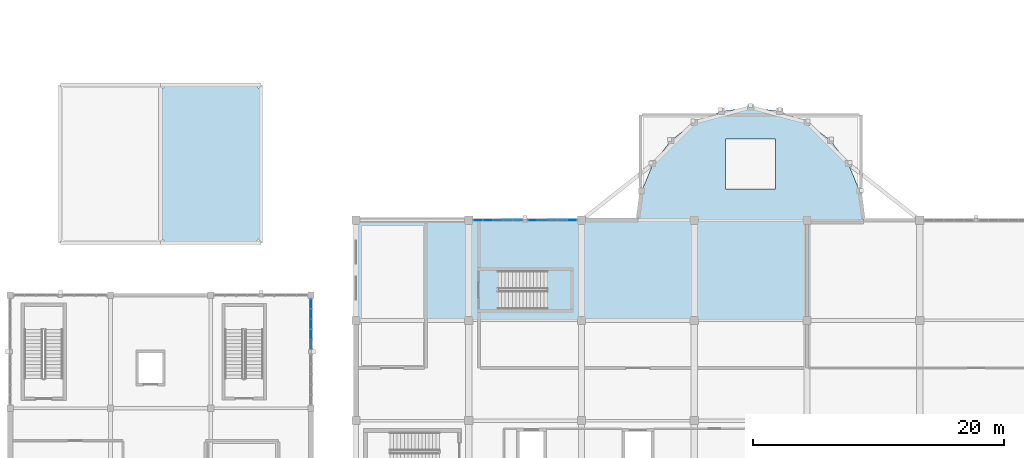
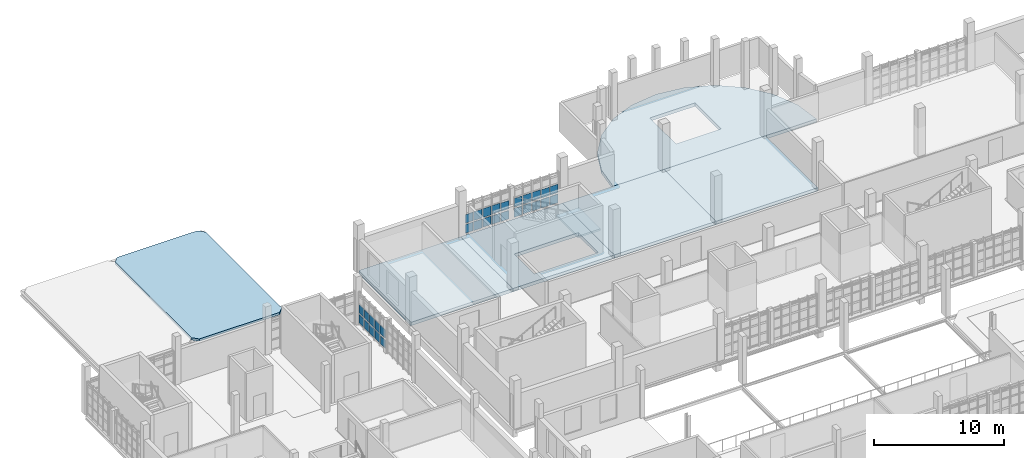
# One storey, part 82 of 125: 30 plates, 7 slabs, 4 elements without a shape of their own.
"""IFC4 building model written with IfcOpenShell, lengths in metres."""

from ifc_helpers import new_model, si_unit, direction, frame, origin, origin_2d, place, context, subcontext, project, spatial, polyline, rectangle, outline, extrude, material, layer, layer_set, type_object, element, aggregate, save


model = new_model("IFC4")

# Units and contexts
model_context = context("Model", 3, precision=1e-05, world=origin(), true_north=direction((0.0, 1.0)))
body_context = subcontext(model_context, "Body", "Model", "MODEL_VIEW")
ifc_project = project(units=[si_unit("LENGTHUNIT", "METRE"), si_unit("AREAUNIT", "SQUARE_METRE"), si_unit("VOLUMEUNIT", "CUBIC_METRE"), si_unit("PLANEANGLEUNIT", "RADIAN"), si_unit("MASSUNIT", "GRAM", prefix="KILO")], contexts=[model_context])

# Site, building, storey
site_placement = place(None, origin())
site = spatial("IfcSite", under=ifc_project, at=site_placement, CompositionType="ELEMENT")
building_placement = place(site_placement, origin())
building = spatial("IfcBuilding", under=site, at=building_placement, Name="Serraforn Aerial Cableway Station", CompositionType="ELEMENT")
storey_placement = place(building_placement, frame((0.0, 0.0, 4.5)))
storey = spatial("IfcBuildingStorey", under=building, at=storey_placement, Name="L01", CompositionType="ELEMENT", Elevation=4.5)

# Curtain wall, plates
ifc_material_1 = material(Name="Anodised bronze unitised curtain wall")
curtain_wall_type_1 = type_object("IfcCurtainWallType", Name="CW-SYS-22", PredefinedType="USERDEFINED", material=ifc_material_1)
curtain_wall_1_placement = place(storey_placement, origin())
curtain_wall_1 = element("IfcCurtainWall", 1, at=curtain_wall_1_placement, inside=storey, type_object=curtain_wall_type_1, Name="Unitised Curtain Wall CW-W-L01-E4B", ObjectType="UNITISED CURTAIN WALL", PredefinedType="USERDEFINED")
ifc_material_2 = material(Name="Solar-control low-E double glazing", Category="glass")
ifc_layer_1 = layer(ifc_material_2, 0.02587890625)
ifc_layer_set_1 = layer_set([ifc_layer_1], Name="Solar-control low-E double glazing")
plate_type_1 = type_object("IfcPlateType", Name="CW-GLZ-1", PredefinedType="CURTAIN_PANEL", material=ifc_layer_set_1)
plate_1_placement = place(storey_placement, frame((24.0, 32.900390625, 1.11376953125), z_axis=(0.0, 0.0, 1.0), x_axis=(1.0, 0.0, 0.0)))
plate_1 = element("IfcPlate", 2, at=plate_1_placement, type_object=plate_type_1, Name="Curtain Wall Panel CW-W-L01-E4B-P2-2", PredefinedType="CURTAIN_PANEL", context=body_context, shape_type="SweptSolid", body=[
    extrude(rectangle(XDim=0.02587890625, YDim=0.745849609375, at=origin_2d()), origin(), (0.0, 0.0, 1.0), 0.824951171875),
])
plate_2_placement = place(storey_placement, frame((24.0, 33.720947265625, 0.177734375), z_axis=(0.0, 0.0, 1.0), x_axis=(1.0, 0.0, 0.0)))
plate_2 = element("IfcPlate", 3, at=plate_2_placement, type_object=plate_type_1, Name="Curtain Wall Panel CW-W-L01-E4B-P3-1", PredefinedType="CURTAIN_PANEL", context=body_context, shape_type="SweptSolid", body=[
    extrude(rectangle(XDim=0.02587890625, YDim=0.75341796875, at=origin_2d()), origin(), (0.0, 0.0, 1.0), 0.824951171875),
])

# Curtain wall, plate
curtain_wall_type_2 = type_object("IfcCurtainWallType", Name="CW-SYS-19", PredefinedType="USERDEFINED", material=ifc_material_1)
curtain_wall_2_placement = place(storey_placement, origin())
curtain_wall_2 = element("IfcCurtainWall", 4, at=curtain_wall_2_placement, inside=storey, type_object=curtain_wall_type_2, Name="Unitised Curtain Wall CW-CV-L01-N2A", ObjectType="UNITISED CURTAIN WALL", PredefinedType="USERDEFINED")
plate_3_placement = place(storey_placement, frame((41.6884765625, 42.0, 1.118896484375), z_axis=(0.0, 0.0, 1.0), x_axis=(1.0, 0.0, 0.0)))
plate_3 = element("IfcPlate", 5, at=plate_3_placement, type_object=plate_type_1, Name="Curtain Wall Panel CW-CV-L01-N2A-P5-2", PredefinedType="CURTAIN_PANEL", context=body_context, shape_type="SweptSolid", body=[
    extrude(rectangle(XDim=0.7109375, YDim=0.02587890625, at=origin_2d()), origin(), (0.0, 0.0, 1.0), 0.8125),
])

# Curtain wall, plates
curtain_wall_type_3 = type_object("IfcCurtainWallType", Name="CW-SYS-20", PredefinedType="USERDEFINED", material=ifc_material_1)
curtain_wall_3_placement = place(storey_placement, origin())
curtain_wall_3 = element("IfcCurtainWall", 6, at=curtain_wall_3_placement, inside=storey, type_object=curtain_wall_type_3, Name="Unitised Curtain Wall CW-CV-L01-N2B", ObjectType="UNITISED CURTAIN WALL", PredefinedType="USERDEFINED")
plate_4_placement = place(storey_placement, frame((38.1171875, 42.0, 1.118896484375), z_axis=(0.0, 0.0, 1.0), x_axis=(1.0, 0.0, 0.0)))
plate_4 = element("IfcPlate", 7, at=plate_4_placement, type_object=plate_type_1, Name="Curtain Wall Panel CW-CV-L01-N2B-P4-2", PredefinedType="CURTAIN_PANEL", context=body_context, shape_type="SweptSolid", body=[
    extrude(rectangle(XDim=0.73828125, YDim=0.02587890625, at=origin_2d()), origin(), (0.0, 0.0, 1.0), 0.8125),
])
plate_5_placement = place(storey_placement, frame((37.339111328125, 42.0, 0.182861328125), z_axis=(0.0, 0.0, 1.0), x_axis=(1.0, 0.0, 0.0)))
plate_5 = element("IfcPlate", 8, at=plate_5_placement, type_object=plate_type_1, Name="Curtain Wall Panel CW-CV-L01-N2B-P5-1", PredefinedType="CURTAIN_PANEL", context=body_context, shape_type="SweptSolid", body=[
    extrude(rectangle(XDim=0.7158203125, YDim=0.02587890625, at=origin_2d()), origin(), (0.0, 0.0, 1.0), 0.8125),
])

# Plate
ifc_layer_2 = layer(ifc_material_2, 0.028076171875)
ifc_layer_set_2 = layer_set([ifc_layer_2], Name="Solar-control low-E double glazing")
plate_type_2 = type_object("IfcPlateType", Name="CW-GLZ-2", PredefinedType="CURTAIN_PANEL", material=ifc_layer_set_2)
plate_6_placement = place(storey_placement, frame((24.0, 33.720947265625, 1.118896484375), z_axis=(0.0, 0.0, 1.0), x_axis=(1.0, 0.0, 0.0)))
plate_6 = element("IfcPlate", 9, at=plate_6_placement, type_object=plate_type_2, Name="Curtain Wall Panel CW-W-L01-E4B-P3-2", PredefinedType="CURTAIN_PANEL", context=body_context, shape_type="SweptSolid", body=[
    extrude(rectangle(XDim=0.028076171875, YDim=0.75341796875, at=origin_2d()), origin(), (0.0, 0.0, 1.0), 0.8125),
])

plate_7_placement = place(storey_placement, frame((24.0, 34.529296875, 0.182861328125), z_axis=(0.0, 0.0, 1.0), x_axis=(1.0, 0.0, 0.0)))
plate_7 = element("IfcPlate", 10, at=plate_7_placement, type_object=plate_type_2, Name="Curtain Wall Panel CW-W-L01-E4B-P4-1", PredefinedType="CURTAIN_PANEL", context=body_context, shape_type="SweptSolid", body=[
    extrude(rectangle(XDim=0.028076171875, YDim=0.760986328125, at=origin_2d()), origin(), (0.0, 0.0, 1.0), 0.8125),
])

plate_8_placement = place(storey_placement, frame((37.339111328125, 42.0, 1.12646484375), z_axis=(0.0, 0.0, 1.0), x_axis=(1.0, 0.0, 0.0)))
plate_8 = element("IfcPlate", 11, at=plate_8_placement, type_object=plate_type_2, Name="Curtain Wall Panel CW-CV-L01-N2B-P5-2", PredefinedType="CURTAIN_PANEL", context=body_context, shape_type="SweptSolid", body=[
    extrude(rectangle(XDim=0.7158203125, YDim=0.028076171875, at=origin_2d()), origin(), (0.0, 0.0, 1.0), 0.797607421875),
])

ifc_layer_3 = layer(ifc_material_2, 0.030029296875)
ifc_layer_set_3 = layer_set([ifc_layer_3], Name="Solar-control low-E double glazing")
plate_type_3 = type_object("IfcPlateType", Name="CW-GLZ-3", PredefinedType="CURTAIN_PANEL", material=ifc_layer_set_3)
plate_9_placement = place(storey_placement, frame((24.0, 34.529296875, 1.12646484375), z_axis=(0.0, 0.0, 1.0), x_axis=(1.0, 0.0, 0.0)))
plate_9 = element("IfcPlate", 12, at=plate_9_placement, type_object=plate_type_3, Name="Curtain Wall Panel CW-W-L01-E4B-P4-2", PredefinedType="CURTAIN_PANEL", context=body_context, shape_type="SweptSolid", body=[
    extrude(rectangle(XDim=0.030029296875, YDim=0.760986328125, at=origin_2d()), origin(), (0.0, 0.0, 1.0), 0.797607421875),
])

plate_10_placement = place(storey_placement, frame((24.0, 35.327392578125, 0.1904296875), z_axis=(0.0, 0.0, 1.0), x_axis=(1.0, 0.0, 0.0)))
plate_10 = element("IfcPlate", 13, at=plate_10_placement, type_object=plate_type_3, Name="Curtain Wall Panel CW-W-L01-E4B-P5-1", PredefinedType="CURTAIN_PANEL", context=body_context, shape_type="SweptSolid", body=[
    extrude(rectangle(XDim=0.030029296875, YDim=0.723388671875, at=origin_2d()), origin(), (0.0, 0.0, 1.0), 0.797607421875),
])

ifc_layer_4 = layer(ifc_material_2, 0.031982421875)
ifc_layer_set_4 = layer_set([ifc_layer_4], Name="Solar-control low-E double glazing")
plate_type_4 = type_object("IfcPlateType", Name="CW-GLZ-4", PredefinedType="CURTAIN_PANEL", material=ifc_layer_set_4)
plate_11_placement = place(storey_placement, frame((24.0, 35.327392578125, 1.1337890625), z_axis=(0.0, 0.0, 1.0), x_axis=(1.0, 0.0, 0.0)))
plate_11 = element("IfcPlate", 14, at=plate_11_placement, type_object=plate_type_4, Name="Curtain Wall Panel CW-W-L01-E4B-P5-2", PredefinedType="CURTAIN_PANEL", context=body_context, shape_type="SweptSolid", body=[
    extrude(rectangle(XDim=0.031982421875, YDim=0.723388671875, at=origin_2d()), origin(), (0.0, 0.0, 1.0), 0.782470703125),
])

plate_12_placement = place(storey_placement, frame((44.86474609375, 42.0, 0.182861328125), z_axis=(0.0, 0.0, 1.0), x_axis=(1.0, 0.0, 0.0)))
plate_12 = element("IfcPlate", 15, at=plate_12_placement, type_object=plate_type_4, Name="Curtain Wall Panel CW-CV-L01-N2A-P1-1", PredefinedType="CURTAIN_PANEL", context=body_context, shape_type="SweptSolid", body=[
    extrude(rectangle(XDim=0.718505859375, YDim=0.031982421875, at=origin_2d()), origin(), (0.0, 0.0, 1.0), 0.8125),
])

ifc_layer_5 = layer(ifc_material_2, 0.033935546875)
ifc_layer_set_5 = layer_set([ifc_layer_5], Name="Solar-control low-E double glazing")
plate_type_5 = type_object("IfcPlateType", Name="CW-GLZ-5", PredefinedType="CURTAIN_PANEL", material=ifc_layer_set_5)
plate_13_placement = place(storey_placement, frame((44.86474609375, 42.0, 1.12646484375), z_axis=(0.0, 0.0, 1.0), x_axis=(1.0, 0.0, 0.0)))
plate_13 = element("IfcPlate", 16, at=plate_13_placement, type_object=plate_type_5, Name="Curtain Wall Panel CW-CV-L01-N2A-P1-2", PredefinedType="CURTAIN_PANEL", context=body_context, shape_type="SweptSolid", body=[
    extrude(rectangle(XDim=0.718505859375, YDim=0.033935546875, at=origin_2d()), origin(), (0.0, 0.0, 1.0), 0.797607421875),
])

plate_14_placement = place(storey_placement, frame((44.0791015625, 42.0, 0.1904296875), z_axis=(0.0, 0.0, 1.0), x_axis=(1.0, 0.0, 0.0)))
plate_14 = element("IfcPlate", 17, at=plate_14_placement, type_object=plate_type_5, Name="Curtain Wall Panel CW-CV-L01-N2A-P2-1", PredefinedType="CURTAIN_PANEL", context=body_context, shape_type="SweptSolid", body=[
    extrude(rectangle(XDim=0.740966796875, YDim=0.033935546875, at=origin_2d()), origin(), (0.0, 0.0, 1.0), 0.797607421875),
])

plate_15_placement = place(storey_placement, frame((40.506591796875, 42.0, 0.1904296875), z_axis=(0.0, 0.0, 1.0), x_axis=(1.0, 0.0, 0.0)))
plate_15 = element("IfcPlate", 18, at=plate_15_placement, type_object=plate_type_5, Name="Curtain Wall Panel CW-CV-L01-N2B-P1-1", PredefinedType="CURTAIN_PANEL", context=body_context, shape_type="SweptSolid", body=[
    extrude(rectangle(XDim=0.7109375, YDim=0.033935546875, at=origin_2d()), origin(), (0.0, 0.0, 1.0), 0.797607421875),
])

ifc_layer_6 = layer(ifc_material_2, 0.035888671875)
ifc_layer_set_6 = layer_set([ifc_layer_6], Name="Solar-control low-E double glazing")
plate_type_6 = type_object("IfcPlateType", Name="CW-GLZ-6", PredefinedType="CURTAIN_PANEL", material=ifc_layer_set_6)
plate_16_placement = place(storey_placement, frame((44.0791015625, 42.0, 1.1337890625), z_axis=(0.0, 0.0, 1.0), x_axis=(1.0, 0.0, 0.0)))
plate_16 = element("IfcPlate", 19, at=plate_16_placement, type_object=plate_type_6, Name="Curtain Wall Panel CW-CV-L01-N2A-P2-2", PredefinedType="CURTAIN_PANEL", context=body_context, shape_type="SweptSolid", body=[
    extrude(rectangle(XDim=0.740966796875, YDim=0.035888671875, at=origin_2d()), origin(), (0.0, 0.0, 1.0), 0.782470703125),
])

plate_17_placement = place(storey_placement, frame((43.27978515625, 42.0, 0.19775390625), z_axis=(0.0, 0.0, 1.0), x_axis=(1.0, 0.0, 0.0)))
plate_17 = element("IfcPlate", 20, at=plate_17_placement, type_object=plate_type_6, Name="Curtain Wall Panel CW-CV-L01-N2A-P3-1", PredefinedType="CURTAIN_PANEL", context=body_context, shape_type="SweptSolid", body=[
    extrude(rectangle(XDim=0.73583984375, YDim=0.035888671875, at=origin_2d()), origin(), (0.0, 0.0, 1.0), 0.782470703125),
])

plate_18_placement = place(storey_placement, frame((40.506591796875, 42.0, 1.1337890625), z_axis=(0.0, 0.0, 1.0), x_axis=(1.0, 0.0, 0.0)))
plate_18 = element("IfcPlate", 21, at=plate_18_placement, type_object=plate_type_6, Name="Curtain Wall Panel CW-CV-L01-N2B-P1-2", PredefinedType="CURTAIN_PANEL", context=body_context, shape_type="SweptSolid", body=[
    extrude(rectangle(XDim=0.7109375, YDim=0.035888671875, at=origin_2d()), origin(), (0.0, 0.0, 1.0), 0.782470703125),
])

plate_19_placement = place(storey_placement, frame((39.72216796875, 42.0, 0.19775390625), z_axis=(0.0, 0.0, 1.0), x_axis=(1.0, 0.0, 0.0)))
plate_19 = element("IfcPlate", 22, at=plate_19_placement, type_object=plate_type_6, Name="Curtain Wall Panel CW-CV-L01-N2B-P2-1", PredefinedType="CURTAIN_PANEL", context=body_context, shape_type="SweptSolid", body=[
    extrude(rectangle(XDim=0.73583984375, YDim=0.035888671875, at=origin_2d()), origin(), (0.0, 0.0, 1.0), 0.782470703125),
])

ifc_layer_7 = layer(ifc_material_2, 0.029052734375)
ifc_layer_set_7 = layer_set([ifc_layer_7], Name="Solar-control low-E double glazing")
plate_type_7 = type_object("IfcPlateType", Name="CW-GLZ-7", PredefinedType="CURTAIN_PANEL", material=ifc_layer_set_7)
plate_20_placement = place(storey_placement, frame((24.0, 32.102294921875, 0.19775390625), z_axis=(0.0, 0.0, 1.0), x_axis=(1.0, 0.0, 0.0)))
plate_20 = element("IfcPlate", 23, at=plate_20_placement, type_object=plate_type_7, Name="Curtain Wall Panel CW-W-L01-E4B-P1-1", PredefinedType="CURTAIN_PANEL", context=body_context, shape_type="SweptSolid", body=[
    extrude(rectangle(XDim=0.029052734375, YDim=0.718505859375, at=origin_2d()), origin(), (0.0, 0.0, 1.0), 0.782470703125),
])

plate_21_placement = place(storey_placement, frame((43.27978515625, 42.0, 1.14111328125), z_axis=(0.0, 0.0, 1.0), x_axis=(1.0, 0.0, 0.0)))
plate_21 = element("IfcPlate", 24, at=plate_21_placement, type_object=plate_type_7, Name="Curtain Wall Panel CW-CV-L01-N2A-P3-2", PredefinedType="CURTAIN_PANEL", context=body_context, shape_type="SweptSolid", body=[
    extrude(rectangle(XDim=0.73583984375, YDim=0.029052734375, at=origin_2d()), origin(), (0.0, 0.0, 1.0), 0.802490234375),
])

plate_22_placement = place(storey_placement, frame((42.48046875, 42.0, 0.20556640625), z_axis=(0.0, 0.0, 1.0), x_axis=(1.0, 0.0, 0.0)))
plate_22 = element("IfcPlate", 25, at=plate_22_placement, type_object=plate_type_7, Name="Curtain Wall Panel CW-CV-L01-N2A-P4-1", PredefinedType="CURTAIN_PANEL", context=body_context, shape_type="SweptSolid", body=[
    extrude(rectangle(XDim=0.73095703125, YDim=0.029052734375, at=origin_2d()), origin(), (0.0, 0.0, 1.0), 0.802490234375),
])

plate_23_placement = place(storey_placement, frame((39.72216796875, 42.0, 1.14111328125), z_axis=(0.0, 0.0, 1.0), x_axis=(1.0, 0.0, 0.0)))
plate_23 = element("IfcPlate", 26, at=plate_23_placement, type_object=plate_type_7, Name="Curtain Wall Panel CW-CV-L01-N2B-P2-2", PredefinedType="CURTAIN_PANEL", context=body_context, shape_type="SweptSolid", body=[
    extrude(rectangle(XDim=0.73583984375, YDim=0.029052734375, at=origin_2d()), origin(), (0.0, 0.0, 1.0), 0.802490234375),
])

plate_24_placement = place(storey_placement, frame((38.9228515625, 42.0, 0.20556640625), z_axis=(0.0, 0.0, 1.0), x_axis=(1.0, 0.0, 0.0)))
plate_24 = element("IfcPlate", 27, at=plate_24_placement, type_object=plate_type_7, Name="Curtain Wall Panel CW-CV-L01-N2B-P3-1", PredefinedType="CURTAIN_PANEL", context=body_context, shape_type="SweptSolid", body=[
    extrude(rectangle(XDim=0.73095703125, YDim=0.029052734375, at=origin_2d()), origin(), (0.0, 0.0, 1.0), 0.802490234375),
])

ifc_layer_8 = layer(ifc_material_2, 0.031005859375)
ifc_layer_set_8 = layer_set([ifc_layer_8], Name="Solar-control low-E double glazing")
plate_type_8 = type_object("IfcPlateType", Name="CW-GLZ-8", PredefinedType="CURTAIN_PANEL", material=ifc_layer_set_8)
plate_25_placement = place(storey_placement, frame((24.0, 32.102294921875, 1.14111328125), z_axis=(0.0, 0.0, 1.0), x_axis=(1.0, 0.0, 0.0)))
plate_25 = element("IfcPlate", 28, at=plate_25_placement, type_object=plate_type_8, Name="Curtain Wall Panel CW-W-L01-E4B-P1-2", PredefinedType="CURTAIN_PANEL", context=body_context, shape_type="SweptSolid", body=[
    extrude(rectangle(XDim=0.031005859375, YDim=0.718505859375, at=origin_2d()), origin(), (0.0, 0.0, 1.0), 0.802490234375),
])

plate_26_placement = place(storey_placement, frame((24.0, 32.900390625, 0.20556640625), z_axis=(0.0, 0.0, 1.0), x_axis=(1.0, 0.0, 0.0)))
plate_26 = element("IfcPlate", 29, at=plate_26_placement, type_object=plate_type_8, Name="Curtain Wall Panel CW-W-L01-E4B-P2-1", PredefinedType="CURTAIN_PANEL", context=body_context, shape_type="SweptSolid", body=[
    extrude(rectangle(XDim=0.031005859375, YDim=0.745849609375, at=origin_2d()), origin(), (0.0, 0.0, 1.0), 0.802490234375),
])

aggregate(curtain_wall_1, [plate_20, plate_25, plate_26, plate_1, plate_2, plate_6, plate_7, plate_9, plate_10, plate_11])

plate_27_placement = place(storey_placement, frame((42.48046875, 42.0, 1.11376953125), z_axis=(0.0, 0.0, 1.0), x_axis=(1.0, 0.0, 0.0)))
plate_27 = element("IfcPlate", 30, at=plate_27_placement, type_object=plate_type_8, Name="Curtain Wall Panel CW-CV-L01-N2A-P4-2", PredefinedType="CURTAIN_PANEL", context=body_context, shape_type="SweptSolid", body=[
    extrude(rectangle(XDim=0.73095703125, YDim=0.031005859375, at=origin_2d()), origin(), (0.0, 0.0, 1.0), 0.824951171875),
])

plate_28_placement = place(storey_placement, frame((41.6884765625, 42.0, 0.177734375), z_axis=(0.0, 0.0, 1.0), x_axis=(1.0, 0.0, 0.0)))
plate_28 = element("IfcPlate", 31, at=plate_28_placement, type_object=plate_type_8, Name="Curtain Wall Panel CW-CV-L01-N2A-P5-1", PredefinedType="CURTAIN_PANEL", context=body_context, shape_type="SweptSolid", body=[
    extrude(rectangle(XDim=0.7109375, YDim=0.031005859375, at=origin_2d()), origin(), (0.0, 0.0, 1.0), 0.824951171875),
])

aggregate(curtain_wall_2, [plate_12, plate_13, plate_14, plate_16, plate_17, plate_21, plate_22, plate_27, plate_28, plate_3])

plate_29_placement = place(storey_placement, frame((38.9228515625, 42.0, 1.11376953125), z_axis=(0.0, 0.0, 1.0), x_axis=(1.0, 0.0, 0.0)))
plate_29 = element("IfcPlate", 32, at=plate_29_placement, type_object=plate_type_8, Name="Curtain Wall Panel CW-CV-L01-N2B-P3-2", PredefinedType="CURTAIN_PANEL", context=body_context, shape_type="SweptSolid", body=[
    extrude(rectangle(XDim=0.73095703125, YDim=0.031005859375, at=origin_2d()), origin(), (0.0, 0.0, 1.0), 0.824951171875),
])

plate_30_placement = place(storey_placement, frame((38.1171875, 42.0, 0.177734375), z_axis=(0.0, 0.0, 1.0), x_axis=(1.0, 0.0, 0.0)))
plate_30 = element("IfcPlate", 33, at=plate_30_placement, type_object=plate_type_8, Name="Curtain Wall Panel CW-CV-L01-N2B-P4-1", PredefinedType="CURTAIN_PANEL", context=body_context, shape_type="SweptSolid", body=[
    extrude(rectangle(XDim=0.73828125, YDim=0.031005859375, at=origin_2d()), origin(), (0.0, 0.0, 1.0), 0.824951171875),
])

aggregate(curtain_wall_3, [plate_15, plate_18, plate_19, plate_23, plate_24, plate_29, plate_30, plate_4, plate_5, plate_8])

# Slabs
ifc_material_3 = material(Name="Concrete C35/45", Category="concrete")
ifc_layer_9 = layer(ifc_material_3, 0.215087890625)
ifc_layer_set_9 = layer_set([ifc_layer_9], Name="Concrete C35/45")
slab_type_1 = type_object("IfcSlabType", Name="SLB-ARC-215", PredefinedType="ROOF", material=ifc_layer_set_9)
slab_1_placement = place(storey_placement, frame((0.0, 0.0, -0.22509765625)))
element("IfcSlab", 34, at=slab_1_placement, inside=storey, type_object=slab_type_1, Name="Colonnade Canopy Roof W-2-1", PredefinedType="ROOF", context=body_context, shape_type="SweptSolid", body=[
    extrude(outline(polyline([(12.449951171875, 40.199951171875), (19.550048828125, 40.199951171875), (20.0, 40.64990234375), (20.0, 52.35009765625), (19.550048828125, 52.800048828125), (12.449951171875, 52.800048828125), (12.0, 52.35009765625), (12.0, 40.64990234375), (12.449951171875, 40.199951171875)])), origin(), (0.0, 0.0, 1.0), 0.215087890625),
])
ifc_layer_10 = layer(ifc_material_3, 0.31494140625)
ifc_layer_set_10 = layer_set([ifc_layer_10], Name="Concrete C35/45")
slab_type_2 = type_object("IfcSlabType", Name="SLB-FLR-315", PredefinedType="FLOOR", material=ifc_layer_set_10)
slab_2_placement = place(storey_placement, frame((0.0, 0.0, -0.31494140625)))
element("IfcSlab", 35, at=slab_2_placement, inside=storey, type_object=slab_type_2, Name="Floor Slab CV-L01-1-3", PredefinedType="FLOOR", context=body_context, shape_type="SweptSolid", body=[
    extrude(outline(polyline([(27.60009765625, 34.0), (36.60009765625, 34.0), (36.60009765625, 42.0), (27.60009765625, 42.0), (27.60009765625, 34.0)])), origin(), (0.0, 0.0, 1.0), 0.31494140625),
])
slab_3_placement = place(storey_placement, frame((0.0, 0.0, -0.31494140625)))
element("IfcSlab", 36, at=slab_3_placement, inside=storey, type_object=slab_type_2, Name="Floor Slab CV-L01-2-3", PredefinedType="FLOOR", context=body_context, shape_type="SweptSolid", body=[
    extrude(outline(polyline([(36.60009765625, 34.0), (45.60009765625, 34.0), (45.60009765625, 42.0), (36.60009765625, 42.0), (36.60009765625, 34.0)]), holes=[polyline([(39.0, 34.89990234375), (44.699951171875, 34.89990234375), (44.699951171875, 37.9599609375), (39.0, 37.9599609375), (39.0, 34.89990234375)])]), origin(), (0.0, 0.0, 1.0), 0.31494140625),
])
slab_4_placement = place(storey_placement, frame((0.0, 0.0, -0.31494140625)))
element("IfcSlab", 37, at=slab_4_placement, inside=storey, type_object=slab_type_2, Name="Floor Slab CV-L01-3-3", PredefinedType="FLOOR", context=body_context, shape_type="SweptSolid", body=[
    extrude(outline(polyline([(45.60009765625, 34.0), (54.60009765625, 34.0), (54.60009765625, 42.0), (45.60009765625, 42.0), (45.60009765625, 34.0)])), origin(), (0.0, 0.0, 1.0), 0.31494140625),
])
slab_5_placement = place(storey_placement, frame((0.0, 0.0, -0.31494140625)))
element("IfcSlab", 38, at=slab_5_placement, inside=storey, type_object=slab_type_2, Name="Floor Slab CV-L01-4-3", PredefinedType="FLOOR", context=body_context, shape_type="SweptSolid", body=[
    extrude(outline(polyline([(54.60009765625, 34.0), (63.60009765625, 34.0), (63.60009765625, 42.0), (54.60009765625, 42.0), (54.60009765625, 34.0)])), origin(), (0.0, 0.0, 1.0), 0.31494140625),
])
slab_6_placement = place(storey_placement, frame((0.0, 0.0, -0.31494140625)))
element("IfcSlab", 39, at=slab_6_placement, inside=storey, type_object=slab_type_2, Name="Bullwheel Apse Slab L01", PredefinedType="FLOOR", context=body_context, shape_type="SweptSolid", body=[
    extrude(outline(polyline([(50.10009765625, 42.0), (50.10009765625, 42.0), (50.40673828125, 44.329345703125), (51.305908203125, 46.5), (52.736083984375, 48.364013671875), (54.60009765625, 49.794189453125), (56.7705078125, 50.693359375), (59.10009765625, 51.0), (61.429443359375, 50.693359375), (63.60009765625, 49.794189453125), (65.464111328125, 48.364013671875), (66.894287109375, 46.5), (67.793212890625, 44.329345703125), (68.10009765625, 42.0), (68.10009765625, 42.0), (50.10009765625, 42.0)]), holes=[polyline([(57.10009765625, 44.5), (61.10009765625, 44.5), (61.10009765625, 48.5), (57.10009765625, 48.5), (57.10009765625, 44.5)])]), origin(), (0.0, 0.0, 1.0), 0.31494140625),
])

# Stair, slab
stair_type = type_object("IfcStairType", Name="STR-DL-2", PredefinedType="HALF_TURN_STAIR", material=ifc_material_3)
stair_placement = place(storey_placement, origin())
stair = element("IfcStair", 40, at=stair_placement, inside=storey, type_object=stair_type, Name="L01 Vault Central West Exit Stair 4", PredefinedType="HALF_TURN_STAIR")
ifc_layer_11 = layer(ifc_material_3, 0.159912109375)
ifc_layer_set_11 = layer_set([ifc_layer_11], Name="Concrete C35/45")
slab_type_3 = type_object("IfcSlabType", Name="SLB-LND-160", PredefinedType="LANDING", material=ifc_layer_set_11)
slab_7_placement = place(storey_placement, frame((0.0, 0.0, 2.090087890625)))
slab_7 = element("IfcSlab", 41, at=slab_7_placement, type_object=slab_type_3, Name="ST-04 landing 1", PredefinedType="LANDING", context=body_context, shape_type="SweptSolid", body=[
    extrude(outline(polyline([(42.820068359375, 34.780029296875), (44.820068359375, 34.780029296875), (44.820068359375, 38.080078125), (42.820068359375, 38.080078125), (42.820068359375, 34.780029296875)])), origin(), (0.0, 0.0, 1.0), 0.159912109375),
])
aggregate(stair, [slab_7])

save(model, "model.ifc")
